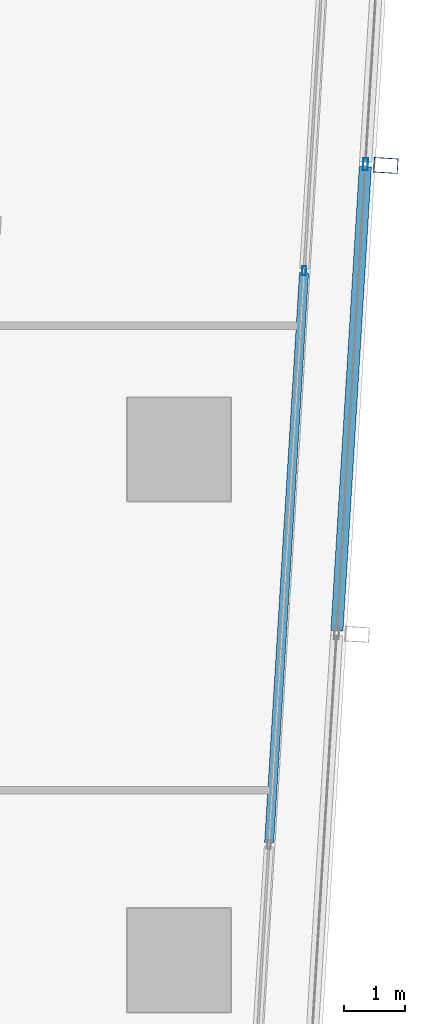
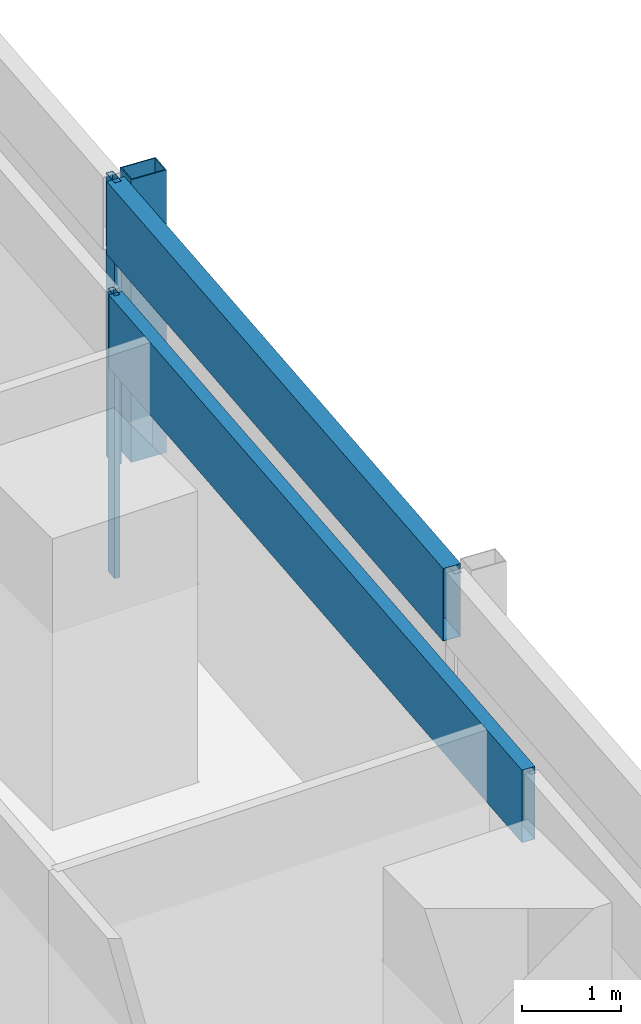
# One storey, part 24 of 40: 5 members, 2 elements without a shape of their own.
"""IFC4 building model written with IfcOpenShell, lengths in metres."""

from ifc_helpers import new_model, si_unit, direction, frame, origin, origin_2d, place, context, subcontext, project, spatial, hollow_rectangle, extrude, material, material_profile, profile_set, type_object, element, aggregate, save


model = new_model("IFC4")

# Units and contexts
model_context = context("Model", 3, precision=1e-05, world=origin(), true_north=direction((0.0, 1.0)))
body_context = subcontext(model_context, "Body", "Model", "MODEL_VIEW")
ifc_project = project(units=[si_unit("LENGTHUNIT", "METRE"), si_unit("AREAUNIT", "SQUARE_METRE"), si_unit("VOLUMEUNIT", "CUBIC_METRE"), si_unit("PLANEANGLEUNIT", "RADIAN"), si_unit("MASSUNIT", "GRAM", prefix="KILO")], contexts=[model_context])

# Site, building, storey
site_placement = place(None, origin())
site = spatial("IfcSite", under=ifc_project, at=site_placement, CompositionType="ELEMENT")
building_placement = place(site_placement, origin())
building = spatial("IfcBuilding", under=site, at=building_placement, Name="Rekha Terrace Tower", CompositionType="ELEMENT")
storey_placement = place(building_placement, frame((0.0, 0.0, 136.550048828125)))
storey = spatial("IfcBuildingStorey", under=building, at=storey_placement, Name="L34", CompositionType="ELEMENT", Elevation=136.550048828125)

# Curtain wall, member
ifc_material_1 = material(Name="Aluminium framing", Category="aluminium")
curtain_wall_type_1 = type_object("IfcCurtainWallType", Name="CW2 double skin outer glazing", PredefinedType="USERDEFINED", material=ifc_material_1)
curtain_wall_1_placement = place(storey_placement, origin())
curtain_wall_1 = element("IfcCurtainWall", 1, at=curtain_wall_1_placement, inside=storey, type_object=curtain_wall_type_1, Name="CW2 double skin outer glazing", ObjectType="DOUBLE SKIN OUTER GLAZING", PredefinedType="USERDEFINED")
ifc_material_2 = material(Name="Steel S355 with fluorocarbon finish", Category="steel")
ifc_material_profile_1 = material_profile(ifc_material_2, hollow_rectangle(XDim=0.25, YDim=0.39990234375, WallThickness=0.012451171875, at=origin_2d()), Name="RHS400x250x12.5")
ifc_profile_set_1 = profile_set([ifc_material_profile_1], Name="Steel S355 with fluorocarbon finish")
member_type_1 = type_object("IfcMemberType", Name="BL1 facade blade RHS 400 x 250", PredefinedType="USERDEFINED", material=ifc_profile_set_1)
member_1_placement = place(storey_placement, frame((70.601318359375, 38.27001953125, 0.0), z_axis=(0.0, 0.0, 1.0), x_axis=(0.061160031881, 0.998127973008, 0.0)))
member_1 = element("IfcMember", 2, at=member_1_placement, type_object=member_type_1, Name="Facade blade", ObjectType="FACADE BLADE", PredefinedType="USERDEFINED", context=body_context, shape_type="SweptSolid", body=[
    extrude(hollow_rectangle(XDim=0.25, YDim=0.39990234375, WallThickness=0.012451171875, at=origin_2d()), origin(), (0.0, 0.0, 1.0), 3.5),
])

# Curtain wall, members
curtain_wall_type_2 = type_object("IfcCurtainWallType", Name="CW1 double skin inner glazing", PredefinedType="USERDEFINED", material=ifc_material_1)
curtain_wall_2_placement = place(storey_placement, origin())
curtain_wall_2 = element("IfcCurtainWall", 3, at=curtain_wall_2_placement, inside=storey, type_object=curtain_wall_type_2, Name="CW1 double skin inner glazing", ObjectType="DOUBLE SKIN INNER GLAZING", PredefinedType="USERDEFINED")
ifc_material_3 = material(Name="Aluminium mullion section", Category="aluminium")
ifc_material_profile_2 = material_profile(ifc_material_3, hollow_rectangle(XDim=0.06494140625, YDim=0.14990234375, WallThickness=0.00390625, at=origin_2d()), Name="AL RHS 65x150")
ifc_profile_set_2 = profile_set([ifc_material_profile_2], Name="Aluminium mullion section")
member_type_2 = type_object("IfcMemberType", Name="CW1 mullion RHS 65 x 150", PredefinedType="MULLION", material=ifc_profile_set_2)
member_2_placement = place(storey_placement, frame((69.257568359375, 36.53662109375, 0.0), z_axis=(0.0, 0.0, 1.0), x_axis=(-0.998127987024, 0.061159803131, 0.0)))
member_2 = element("IfcMember", 4, at=member_2_placement, type_object=member_type_2, Name="CW1 mullion 3", PredefinedType="MULLION", context=body_context, shape_type="SweptSolid", body=[
    extrude(hollow_rectangle(XDim=0.06494140625, YDim=0.14990234375, WallThickness=0.00390625, at=origin_2d()), origin(), (0.0, 0.0, 1.0), 3.5),
])
ifc_material_4 = material(Name="Insulated aluminium spandrel box", Category="aluminium")
ifc_material_profile_3 = material_profile(ifc_material_4, hollow_rectangle(XDim=0.14990234375, YDim=0.89990234375, WallThickness=0.0029296875, at=origin_2d()), Name="AL SPANDREL BOX 150x900")
ifc_profile_set_3 = profile_set([ifc_material_profile_3], Name="Insulated aluminium spandrel box")
member_type_3 = type_object("IfcMemberType", Name="CW1 spandrel transom 150 x 900", PredefinedType="USERDEFINED", material=ifc_profile_set_3)
member_3_placement = place(storey_placement, frame((68.681640625, 27.13427734375, 3.050048828125), z_axis=(0.061141260248, 0.998129123057, 0.0), x_axis=(-0.998129123057, 0.061141260248, 0.0)))
member_3 = element("IfcMember", 5, at=member_3_placement, type_object=member_type_3, Name="CW1 spandrel transom 2", ObjectType="TRANSOM", PredefinedType="USERDEFINED", context=body_context, shape_type="SweptSolid", body=[
    extrude(hollow_rectangle(XDim=0.14990234375, YDim=0.89990234375, WallThickness=0.0029296875, at=origin_2d()), origin(), (0.0, 0.0, 1.0), 9.3876953125),
])
aggregate(curtain_wall_2, [member_2, member_3])

# Member
ifc_material_profile_4 = material_profile(ifc_material_3, hollow_rectangle(XDim=0.080078125, YDim=0.199951171875, WallThickness=0.00390625, at=origin_2d()), Name="AL RHS 80x200")
ifc_profile_set_4 = profile_set([ifc_material_profile_4], Name="Aluminium mullion section")
member_type_4 = type_object("IfcMemberType", Name="CW2 mullion RHS 80 x 200", PredefinedType="MULLION", material=ifc_profile_set_4)
member_4_placement = place(storey_placement, frame((70.266845703125, 38.29052734375, 0.0), z_axis=(0.0, 0.0, 1.0), x_axis=(-0.998127987024, 0.061159803131, 0.0)))
member_4 = element("IfcMember", 6, at=member_4_placement, type_object=member_type_4, Name="CW2 mullion 4", PredefinedType="MULLION", context=body_context, shape_type="SweptSolid", body=[
    extrude(hollow_rectangle(XDim=0.080078125, YDim=0.199951171875, WallThickness=0.00390625, at=origin_2d()), origin(), (0.0, 0.0, 1.0), 3.5),
])

ifc_material_profile_5 = material_profile(ifc_material_4, hollow_rectangle(XDim=0.199951171875, YDim=0.89990234375, WallThickness=0.0029296875, at=origin_2d()), Name="AL SPANDREL BOX 200x900")
ifc_profile_set_5 = profile_set([ifc_material_profile_5], Name="Insulated aluminium spandrel box")
member_type_5 = type_object("IfcMemberType", Name="CW2 spandrel transom 200 x 900", PredefinedType="USERDEFINED", material=ifc_profile_set_5)
member_5_placement = place(storey_placement, frame((69.796630859375, 30.618408203125, 3.050048828125), z_axis=(0.061175629852, 0.998127017124, 0.0), x_axis=(-0.998127017124, 0.061175629852, 0.0)))
member_5 = element("IfcMember", 7, at=member_5_placement, type_object=member_type_5, Name="CW2 spandrel transom 3", ObjectType="TRANSOM", PredefinedType="USERDEFINED", context=body_context, shape_type="SweptSolid", body=[
    extrude(hollow_rectangle(XDim=0.199951171875, YDim=0.89990234375, WallThickness=0.0029296875, at=origin_2d()), origin(), (0.0, 0.0, 1.0), 7.646484375),
])

aggregate(curtain_wall_1, [member_4, member_5, member_1])

save(model, "model.ifc")
